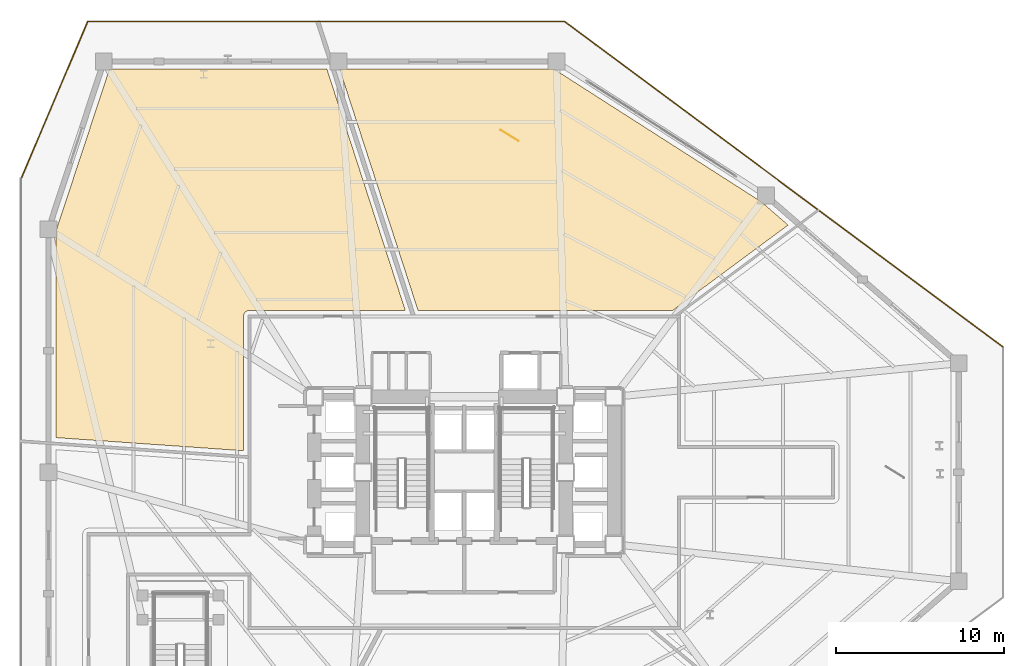
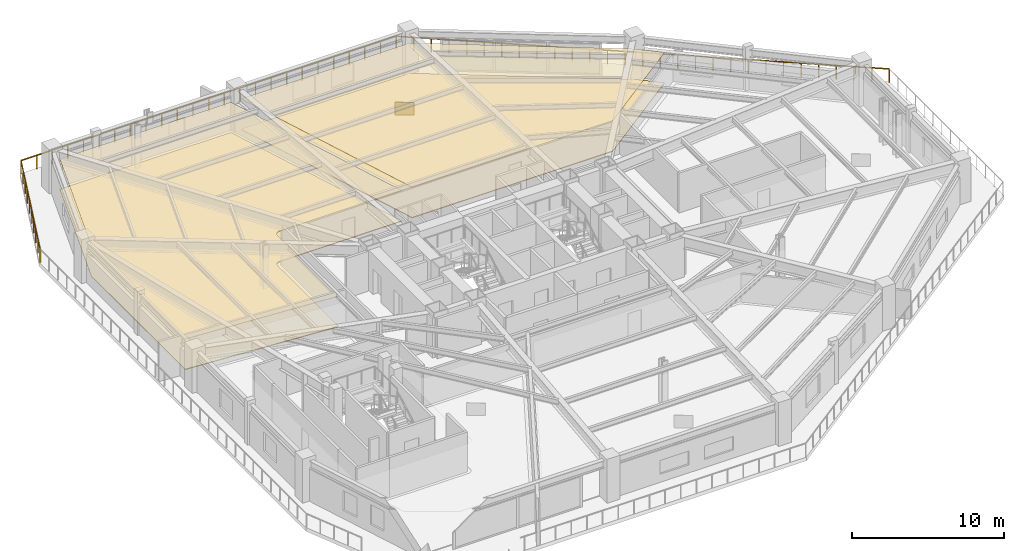
# One storey, part 12 of 12: 5 coverings, 1 railing.
"""IFC4 building model written with IfcOpenShell, lengths in metres."""

from ifc_helpers import new_model, si_unit, direction, frame, origin, origin_2d, place, context, subcontext, project, spatial, polyline, rectangle, outline, extrude, material, layer, layer_set, type_object, element, save


model = new_model("IFC4")

# Units and contexts
model_context = context("Model", 3, precision=1e-05, world=origin(), true_north=direction((0.0, 1.0)))
body_context = subcontext(model_context, "Body", "Model", "MODEL_VIEW")
ifc_project = project(units=[si_unit("LENGTHUNIT", "METRE"), si_unit("AREAUNIT", "SQUARE_METRE"), si_unit("VOLUMEUNIT", "CUBIC_METRE"), si_unit("PLANEANGLEUNIT", "RADIAN"), si_unit("MASSUNIT", "GRAM", prefix="KILO")], contexts=[model_context])

# Site, building, storey
site_placement = place(None, origin())
site = spatial("IfcSite", under=ifc_project, at=site_placement, CompositionType="ELEMENT")
building_placement = place(site_placement, origin())
building = spatial("IfcBuilding", under=site, at=building_placement, Name="Rocaltana Carrier Exchange", CompositionType="ELEMENT")
storey_placement = place(building_placement, frame((0.0, 0.0, 8.320068359375)))
storey = spatial("IfcBuildingStorey", under=building, at=storey_placement, Name="L03", CompositionType="ELEMENT", Elevation=8.320068359375)

# Coverings
ifc_material_1 = material(Name="Calcium Sulphate & Aluminium Pedestal", Category="aluminium")
ifc_layer_1 = layer(ifc_material_1, 0.06005859375)
ifc_layer_set_1 = layer_set([ifc_layer_1], Name="Calcium Sulphate & Aluminium Pedestal")
covering_type_1 = type_object("IfcCoveringType", Name="Anti-Static Raised Exchange Access Floor 60", PredefinedType="FLOORING", material=ifc_layer_set_1)
covering_1_placement = place(storey_placement, origin())
element("IfcCovering", 1, at=covering_1_placement, inside=storey, type_object=covering_type_1, Name="L03 Peering Conference Room Finish Floor", PredefinedType="FLOORING", context=body_context, shape_type="SweptSolid", body=[
    extrude(outline(polyline([(5.365478515625, 24.0400390625), (17.7236328125, 16.130615234375), (19.319091796875, 14.743408203125), (12.449462890625, 9.659912109375), (-2.76025390625, 9.659912109375), (-7.4326171875, 24.0400390625), (5.365478515625, 24.0400390625)])), origin(), (0.0, 0.0, 1.0), 0.059814453125),
])
covering_2_placement = place(storey_placement, origin())
element("IfcCovering", 2, at=covering_2_placement, inside=storey, type_object=covering_type_1, Name="L03 Protocol Calibration Laboratory Finish Floor", PredefinedType="FLOORING", context=body_context, shape_type="SweptSolid", body=[
    extrude(outline(polyline([(-24.340087890625, 14.426025390625), (-21.16748046875, 24.0400390625), (-8.189697265625, 24.0400390625), (-3.517333984375, 9.659912109375), (-12.800048828125, 9.659912109375), (-12.813720703125, 9.65966796875), (-12.821533203125, 9.6591796875), (-12.848876953125, 9.656494140625), (-12.856689453125, 9.655517578125), (-12.883544921875, 9.650146484375), (-12.891357421875, 9.648193359375), (-12.91748046875, 9.64013671875), (-12.9248046875, 9.637451171875), (-12.9501953125, 9.626953125), (-12.95751953125, 9.623779296875), (-12.981689453125, 9.610595703125), (-12.98828125, 9.606689453125), (-13.01123046875, 9.59130859375), (-13.017578125, 9.586669921875), (-13.038818359375, 9.5693359375), (-13.044677734375, 9.56396484375), (-13.06396484375, 9.544677734375), (-13.0693359375, 9.538818359375), (-13.086669921875, 9.517578125), (-13.09130859375, 9.51123046875), (-13.106689453125, 9.48828125), (-13.110595703125, 9.481689453125), (-13.123779296875, 9.45751953125), (-13.126953125, 9.4501953125), (-13.137451171875, 9.4248046875), (-13.14013671875, 9.41748046875), (-13.148193359375, 9.391357421875), (-13.150146484375, 9.383544921875), (-13.155517578125, 9.356689453125), (-13.156494140625, 9.348876953125), (-13.1591796875, 9.321533203125), (-13.15966796875, 9.313720703125), (-13.159912109375, 9.300048828125), (-13.159912109375, 1.281005859375), (-24.340087890625, 2.06298828125), (-24.340087890625, 14.426025390625)])), origin(), (0.0, 0.0, 1.0), 0.059814453125),
])
ifc_material_2 = material(Name="Mineral Fibre & Powder-Coated Aluminium", Category="aluminium")
ifc_layer_2 = layer(ifc_material_2, 0.044921875)
ifc_layer_set_2 = layer_set([ifc_layer_2], Name="Mineral Fibre & Powder-Coated Aluminium")
covering_type_2 = type_object("IfcCoveringType", Name="Micro-Perforated Acoustic Ceiling 45", PredefinedType="CEILING", material=ifc_layer_set_2)
covering_3_placement = place(storey_placement, frame((0.0, 0.0, 2.44287109375)))
element("IfcCovering", 3, at=covering_3_placement, inside=storey, type_object=covering_type_2, Name="L03 Peering Conference Room Acoustic Ceiling", PredefinedType="CEILING", context=body_context, shape_type="SweptSolid", body=[
    extrude(outline(polyline([(5.365478515625, 24.0400390625), (17.7236328125, 16.130615234375), (19.319091796875, 14.743408203125), (12.449462890625, 9.659912109375), (-2.76025390625, 9.659912109375), (-7.4326171875, 24.0400390625), (5.365478515625, 24.0400390625)])), origin(), (0.0, 0.0, 1.0), 0.045166015625),
])
covering_4_placement = place(storey_placement, frame((0.0, 0.0, 2.44287109375)))
element("IfcCovering", 4, at=covering_4_placement, inside=storey, type_object=covering_type_2, Name="L03 Protocol Calibration Laboratory Acoustic Ceiling", PredefinedType="CEILING", context=body_context, shape_type="SweptSolid", body=[
    extrude(outline(polyline([(-24.340087890625, 14.426025390625), (-21.16748046875, 24.0400390625), (-8.189697265625, 24.0400390625), (-3.517333984375, 9.659912109375), (-12.800048828125, 9.659912109375), (-12.813720703125, 9.65966796875), (-12.821533203125, 9.6591796875), (-12.848876953125, 9.656494140625), (-12.856689453125, 9.655517578125), (-12.883544921875, 9.650146484375), (-12.891357421875, 9.648193359375), (-12.91748046875, 9.64013671875), (-12.9248046875, 9.637451171875), (-12.9501953125, 9.626953125), (-12.95751953125, 9.623779296875), (-12.981689453125, 9.610595703125), (-12.98828125, 9.606689453125), (-13.01123046875, 9.59130859375), (-13.017578125, 9.586669921875), (-13.038818359375, 9.5693359375), (-13.044677734375, 9.56396484375), (-13.06396484375, 9.544677734375), (-13.0693359375, 9.538818359375), (-13.086669921875, 9.517578125), (-13.09130859375, 9.51123046875), (-13.106689453125, 9.48828125), (-13.110595703125, 9.481689453125), (-13.123779296875, 9.45751953125), (-13.126953125, 9.4501953125), (-13.137451171875, 9.4248046875), (-13.14013671875, 9.41748046875), (-13.148193359375, 9.391357421875), (-13.150146484375, 9.383544921875), (-13.155517578125, 9.356689453125), (-13.156494140625, 9.348876953125), (-13.1591796875, 9.321533203125), (-13.15966796875, 9.313720703125), (-13.159912109375, 9.300048828125), (-13.159912109375, 1.281005859375), (-24.340087890625, 2.06298828125), (-24.340087890625, 14.426025390625)])), origin(), (0.0, 0.0, 1.0), 0.045166015625),
])
ifc_material_3 = material(Name="Honed Piedra Muneca Sandstone", Category="masonry")
ifc_layer_3 = layer(ifc_material_3, 0.034912109375)
ifc_layer_set_3 = layer_set([ifc_layer_3], Name="Honed Piedra Muneca Sandstone")
covering_type_3 = type_object("IfcCoveringType", Name="Stone Facade Cladding 35", PredefinedType="CLADDING", material=ifc_layer_set_3)
covering_5_placement = place(storey_placement, frame((2.698486328125, 20.08544921875, 0.0), z_axis=(0.0, 0.0, 1.0), x_axis=(-0.848048096156, 0.529919264233, 0.0)))
element("IfcCovering", 5, at=covering_5_placement, inside=storey, type_object=covering_type_3, Name="L03 Stone Facade Cladding Panel 4", PredefinedType="CLADDING", context=body_context, shape_type="SweptSolid", body=[
    extrude(rectangle(XDim=1.25, YDim=0.034912109375, at=origin_2d()), origin(), (0.0, 0.0, 1.0), 1.050048828125),
])

# Railing
ifc_material_4 = material(Name="Powder-Coated Aluminium 6063-T6", Category="aluminium")
ifc_layer_4 = layer(ifc_material_4, 0.06005859375)
ifc_layer_set_4 = layer_set([ifc_layer_4], Name="Powder-Coated Aluminium 6063-T6")
railing_type = type_object("IfcRailingType", Name="Wind-Floor & Terrace Perimeter Guardrail 1100", PredefinedType="GUARDRAIL", material=ifc_layer_set_4)
railing_placement = place(storey_placement, frame((-26.43994140625, 17.48779296875, 0.0)))
element("IfcRailing", 6, at=railing_placement, inside=storey, type_object=railing_type, Name="L03 Perimeter Balcony Guardrail 2", PredefinedType="GUARDRAIL", context=body_context, shape_type="SweptSolid", body=[
    extrude(rectangle(XDim=0.048095703125, YDim=0.048095703125, at=origin_2d()), frame((0.0, 0.0, 1.076171875), z_axis=(0.389799902601, 0.920899579722, 0.0), x_axis=(-0.920899579722, 0.389799902601, 0.0)), (0.0, 0.0, 1.0), 10.209716796875),
    extrude(rectangle(XDim=0.048095703125, YDim=0.048095703125, at=origin_2d()), frame((3.979736328125, 9.402099609375, 1.076171875), z_axis=(1.0, 0.0, 0.0), x_axis=(0.0, 1.0, 0.0)), (0.0, 0.0, 1.0), 28.4404296875),
    extrude(rectangle(XDim=0.048095703125, YDim=0.048095703125, at=origin_2d()), frame((32.420166015625, 9.402099609375, 1.076171875), z_axis=(0.802930850868, -0.596072184156, 0.0), x_axis=(0.596072184156, 0.802930850868, 0.0)), (0.0, 0.0, 1.0), 32.580322265625),
    extrude(rectangle(XDim=0.0419921875, YDim=0.0419921875, at=origin_2d()), origin(), (0.0, 0.0, 1.0), 1.052001953125),
    extrude(rectangle(XDim=0.0419921875, YDim=0.0419921875, at=origin_2d()), frame((0.442138671875, 1.044677734375, 0.0)), (0.0, 0.0, 1.0), 1.052001953125),
    extrude(rectangle(XDim=0.0419921875, YDim=0.0419921875, at=origin_2d()), frame((0.88427734375, 2.08935546875, 0.0)), (0.0, 0.0, 1.0), 1.052001953125),
    extrude(rectangle(XDim=0.0419921875, YDim=0.0419921875, at=origin_2d()), frame((1.32666015625, 3.134033203125, 0.0)), (0.0, 0.0, 1.0), 1.052001953125),
    extrude(rectangle(XDim=0.0419921875, YDim=0.0419921875, at=origin_2d()), frame((1.768798828125, 4.1787109375, 0.0)), (0.0, 0.0, 1.0), 1.052001953125),
    extrude(rectangle(XDim=0.0419921875, YDim=0.0419921875, at=origin_2d()), frame((2.2109375, 5.223388671875, 0.0)), (0.0, 0.0, 1.0), 1.052001953125),
    extrude(rectangle(XDim=0.0419921875, YDim=0.0419921875, at=origin_2d()), frame((2.653076171875, 6.26806640625, 0.0)), (0.0, 0.0, 1.0), 1.052001953125),
    extrude(rectangle(XDim=0.0419921875, YDim=0.0419921875, at=origin_2d()), frame((3.095458984375, 7.312744140625, 0.0)), (0.0, 0.0, 1.0), 1.052001953125),
    extrude(rectangle(XDim=0.0419921875, YDim=0.0419921875, at=origin_2d()), frame((3.53759765625, 8.357421875, 0.0)), (0.0, 0.0, 1.0), 1.052001953125),
    extrude(rectangle(XDim=0.0419921875, YDim=0.0419921875, at=origin_2d()), frame((3.979736328125, 9.402099609375, 0.0)), (0.0, 0.0, 1.0), 1.052001953125),
    extrude(rectangle(XDim=0.0419921875, YDim=0.0419921875, at=origin_2d()), frame((5.164794921875, 9.402099609375, 0.0)), (0.0, 0.0, 1.0), 1.052001953125),
    extrude(rectangle(XDim=0.0419921875, YDim=0.0419921875, at=origin_2d()), frame((6.349853515625, 9.402099609375, 0.0)), (0.0, 0.0, 1.0), 1.052001953125),
    extrude(rectangle(XDim=0.0419921875, YDim=0.0419921875, at=origin_2d()), frame((7.53466796875, 9.402099609375, 0.0)), (0.0, 0.0, 1.0), 1.052001953125),
    extrude(rectangle(XDim=0.0419921875, YDim=0.0419921875, at=origin_2d()), frame((8.7197265625, 9.402099609375, 0.0)), (0.0, 0.0, 1.0), 1.052001953125),
    extrude(rectangle(XDim=0.0419921875, YDim=0.0419921875, at=origin_2d()), frame((9.90478515625, 9.402099609375, 0.0)), (0.0, 0.0, 1.0), 1.052001953125),
    extrude(rectangle(XDim=0.0419921875, YDim=0.0419921875, at=origin_2d()), frame((11.08984375, 9.402099609375, 0.0)), (0.0, 0.0, 1.0), 1.052001953125),
    extrude(rectangle(XDim=0.0419921875, YDim=0.0419921875, at=origin_2d()), frame((12.27490234375, 9.402099609375, 0.0)), (0.0, 0.0, 1.0), 1.052001953125),
    extrude(rectangle(XDim=0.0419921875, YDim=0.0419921875, at=origin_2d()), frame((13.4599609375, 9.402099609375, 0.0)), (0.0, 0.0, 1.0), 1.052001953125),
    extrude(rectangle(XDim=0.0419921875, YDim=0.0419921875, at=origin_2d()), frame((14.64501953125, 9.402099609375, 0.0)), (0.0, 0.0, 1.0), 1.052001953125),
    extrude(rectangle(XDim=0.0419921875, YDim=0.0419921875, at=origin_2d()), frame((15.829833984375, 9.402099609375, 0.0)), (0.0, 0.0, 1.0), 1.052001953125),
    extrude(rectangle(XDim=0.0419921875, YDim=0.0419921875, at=origin_2d()), frame((17.014892578125, 9.402099609375, 0.0)), (0.0, 0.0, 1.0), 1.052001953125),
    extrude(rectangle(XDim=0.0419921875, YDim=0.0419921875, at=origin_2d()), frame((18.199951171875, 9.402099609375, 0.0)), (0.0, 0.0, 1.0), 1.052001953125),
    extrude(rectangle(XDim=0.0419921875, YDim=0.0419921875, at=origin_2d()), frame((19.385009765625, 9.402099609375, 0.0)), (0.0, 0.0, 1.0), 1.052001953125),
    extrude(rectangle(XDim=0.0419921875, YDim=0.0419921875, at=origin_2d()), frame((20.570068359375, 9.402099609375, 0.0)), (0.0, 0.0, 1.0), 1.052001953125),
    extrude(rectangle(XDim=0.0419921875, YDim=0.0419921875, at=origin_2d()), frame((21.7548828125, 9.402099609375, 0.0)), (0.0, 0.0, 1.0), 1.052001953125),
    extrude(rectangle(XDim=0.0419921875, YDim=0.0419921875, at=origin_2d()), frame((22.93994140625, 9.402099609375, 0.0)), (0.0, 0.0, 1.0), 1.052001953125),
    extrude(rectangle(XDim=0.0419921875, YDim=0.0419921875, at=origin_2d()), frame((24.125, 9.402099609375, 0.0)), (0.0, 0.0, 1.0), 1.052001953125),
    extrude(rectangle(XDim=0.0419921875, YDim=0.0419921875, at=origin_2d()), frame((25.31005859375, 9.402099609375, 0.0)), (0.0, 0.0, 1.0), 1.052001953125),
    extrude(rectangle(XDim=0.0419921875, YDim=0.0419921875, at=origin_2d()), frame((26.4951171875, 9.402099609375, 0.0)), (0.0, 0.0, 1.0), 1.052001953125),
    extrude(rectangle(XDim=0.0419921875, YDim=0.0419921875, at=origin_2d()), frame((27.68017578125, 9.402099609375, 0.0)), (0.0, 0.0, 1.0), 1.052001953125),
    extrude(rectangle(XDim=0.0419921875, YDim=0.0419921875, at=origin_2d()), frame((28.865234375, 9.402099609375, 0.0)), (0.0, 0.0, 1.0), 1.052001953125),
    extrude(rectangle(XDim=0.0419921875, YDim=0.0419921875, at=origin_2d()), frame((30.050048828125, 9.402099609375, 0.0)), (0.0, 0.0, 1.0), 1.052001953125),
    extrude(rectangle(XDim=0.0419921875, YDim=0.0419921875, at=origin_2d()), frame((31.235107421875, 9.402099609375, 0.0)), (0.0, 0.0, 1.0), 1.052001953125),
    extrude(rectangle(XDim=0.0419921875, YDim=0.0419921875, at=origin_2d()), frame((32.420166015625, 9.402099609375, 0.0)), (0.0, 0.0, 1.0), 1.052001953125),
    extrude(rectangle(XDim=0.0419921875, YDim=0.0419921875, at=origin_2d()), frame((33.3544921875, 8.70849609375, 0.0)), (0.0, 0.0, 1.0), 1.052001953125),
    extrude(rectangle(XDim=0.0419921875, YDim=0.0419921875, at=origin_2d()), frame((34.288818359375, 8.014892578125, 0.0)), (0.0, 0.0, 1.0), 1.052001953125),
    extrude(rectangle(XDim=0.0419921875, YDim=0.0419921875, at=origin_2d()), frame((35.222900390625, 7.3212890625, 0.0)), (0.0, 0.0, 1.0), 1.052001953125),
    extrude(rectangle(XDim=0.0419921875, YDim=0.0419921875, at=origin_2d()), frame((36.1572265625, 6.627685546875, 0.0)), (0.0, 0.0, 1.0), 1.052001953125),
    extrude(rectangle(XDim=0.0419921875, YDim=0.0419921875, at=origin_2d()), frame((37.091552734375, 5.934326171875, 0.0)), (0.0, 0.0, 1.0), 1.052001953125),
    extrude(rectangle(XDim=0.0419921875, YDim=0.0419921875, at=origin_2d()), frame((38.02587890625, 5.24072265625, 0.0)), (0.0, 0.0, 1.0), 1.052001953125),
    extrude(rectangle(XDim=0.0419921875, YDim=0.0419921875, at=origin_2d()), frame((38.9599609375, 4.547119140625, 0.0)), (0.0, 0.0, 1.0), 1.052001953125),
    extrude(rectangle(XDim=0.0419921875, YDim=0.0419921875, at=origin_2d()), frame((39.894287109375, 3.853515625, 0.0)), (0.0, 0.0, 1.0), 1.052001953125),
    extrude(rectangle(XDim=0.0419921875, YDim=0.0419921875, at=origin_2d()), frame((40.82861328125, 3.159912109375, 0.0)), (0.0, 0.0, 1.0), 1.052001953125),
    extrude(rectangle(XDim=0.0419921875, YDim=0.0419921875, at=origin_2d()), frame((41.762939453125, 2.46630859375, 0.0)), (0.0, 0.0, 1.0), 1.052001953125),
    extrude(rectangle(XDim=0.0419921875, YDim=0.0419921875, at=origin_2d()), frame((42.697265625, 1.772705078125, 0.0)), (0.0, 0.0, 1.0), 1.052001953125),
    extrude(rectangle(XDim=0.0419921875, YDim=0.0419921875, at=origin_2d()), frame((43.63134765625, 1.0791015625, 0.0)), (0.0, 0.0, 1.0), 1.052001953125),
    extrude(rectangle(XDim=0.0419921875, YDim=0.0419921875, at=origin_2d()), frame((44.565673828125, 0.385498046875, 0.0)), (0.0, 0.0, 1.0), 1.052001953125),
    extrude(rectangle(XDim=0.0419921875, YDim=0.0419921875, at=origin_2d()), frame((45.5, -0.30810546875, 0.0)), (0.0, 0.0, 1.0), 1.052001953125),
    extrude(rectangle(XDim=0.0419921875, YDim=0.0419921875, at=origin_2d()), frame((46.434326171875, -1.00146484375, 0.0)), (0.0, 0.0, 1.0), 1.052001953125),
    extrude(rectangle(XDim=0.0419921875, YDim=0.0419921875, at=origin_2d()), frame((47.36865234375, -1.695068359375, 0.0)), (0.0, 0.0, 1.0), 1.052001953125),
    extrude(rectangle(XDim=0.0419921875, YDim=0.0419921875, at=origin_2d()), frame((48.302734375, -2.388671875, 0.0)), (0.0, 0.0, 1.0), 1.052001953125),
    extrude(rectangle(XDim=0.0419921875, YDim=0.0419921875, at=origin_2d()), frame((49.237060546875, -3.082275390625, 0.0)), (0.0, 0.0, 1.0), 1.052001953125),
    extrude(rectangle(XDim=0.0419921875, YDim=0.0419921875, at=origin_2d()), frame((50.17138671875, -3.77587890625, 0.0)), (0.0, 0.0, 1.0), 1.052001953125),
    extrude(rectangle(XDim=0.0419921875, YDim=0.0419921875, at=origin_2d()), frame((51.105712890625, -4.469482421875, 0.0)), (0.0, 0.0, 1.0), 1.052001953125),
    extrude(rectangle(XDim=0.0419921875, YDim=0.0419921875, at=origin_2d()), frame((52.0400390625, -5.1630859375, 0.0)), (0.0, 0.0, 1.0), 1.052001953125),
    extrude(rectangle(XDim=0.0419921875, YDim=0.0419921875, at=origin_2d()), frame((52.97412109375, -5.856689453125, 0.0)), (0.0, 0.0, 1.0), 1.052001953125),
    extrude(rectangle(XDim=0.0419921875, YDim=0.0419921875, at=origin_2d()), frame((53.908447265625, -6.55029296875, 0.0)), (0.0, 0.0, 1.0), 1.052001953125),
    extrude(rectangle(XDim=0.0419921875, YDim=0.0419921875, at=origin_2d()), frame((54.8427734375, -7.24365234375, 0.0)), (0.0, 0.0, 1.0), 1.052001953125),
    extrude(rectangle(XDim=0.0419921875, YDim=0.0419921875, at=origin_2d()), frame((55.777099609375, -7.937255859375, 0.0)), (0.0, 0.0, 1.0), 1.052001953125),
    extrude(rectangle(XDim=0.0419921875, YDim=0.0419921875, at=origin_2d()), frame((56.711181640625, -8.630859375, 0.0)), (0.0, 0.0, 1.0), 1.052001953125),
    extrude(rectangle(XDim=0.0419921875, YDim=0.0419921875, at=origin_2d()), frame((57.6455078125, -9.324462890625, 0.0)), (0.0, 0.0, 1.0), 1.052001953125),
    extrude(rectangle(XDim=0.0419921875, YDim=0.0419921875, at=origin_2d()), frame((58.579833984375, -10.01806640625, 0.0)), (0.0, 0.0, 1.0), 1.052001953125),
])

save(model, "model.ifc")
